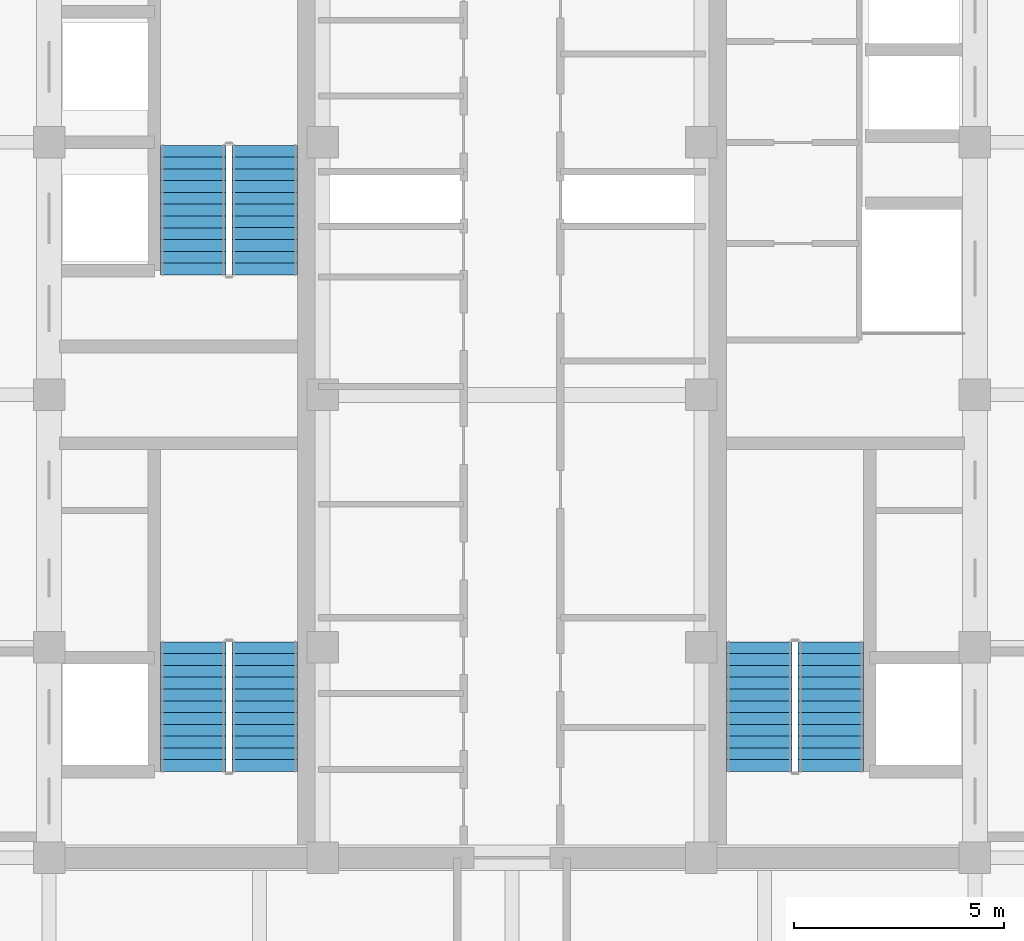
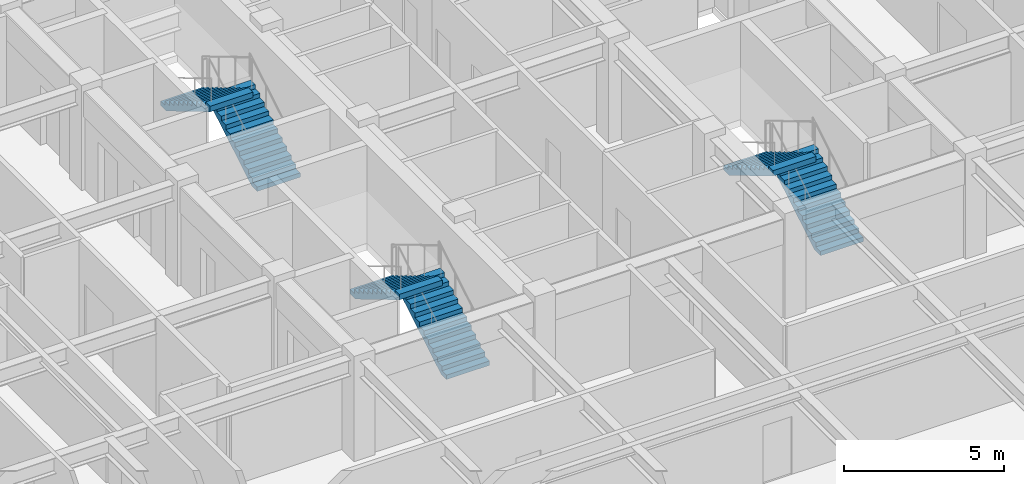
# One storey, part 28 of 29: 6 stair flights, 3 elements without a shape of their own.
"""IFC4 building model written with IfcOpenShell, lengths in metres."""

from ifc_helpers import new_model, si_unit, direction, frame, origin, place, context, subcontext, project, spatial, polyline, outline, extrude, source, transform, mapped, material, type_object, element, aggregate, save


model = new_model("IFC4")

# Units and contexts
model_context = context("Model", 3, precision=1e-05, world=origin(), true_north=direction((0.0, 1.0)))
body_context = subcontext(model_context, "Body", "Model", "MODEL_VIEW")
ifc_project = project(units=[si_unit("LENGTHUNIT", "METRE"), si_unit("AREAUNIT", "SQUARE_METRE"), si_unit("VOLUMEUNIT", "CUBIC_METRE"), si_unit("PLANEANGLEUNIT", "RADIAN"), si_unit("MASSUNIT", "GRAM", prefix="KILO")], contexts=[model_context])

# Site, building, storey
site_placement = place(None, origin())
site = spatial("IfcSite", under=ifc_project, at=site_placement, CompositionType="ELEMENT")
building_placement = place(site_placement, origin())
building = spatial("IfcBuilding", under=site, at=building_placement, Name="Khorayat Bourse Tower", CompositionType="ELEMENT")
storey_placement = place(building_placement, frame((0.0, 0.0, 366.300048828125)))
storey = spatial("IfcBuildingStorey", under=building, at=storey_placement, Name="L87", CompositionType="ELEMENT", Elevation=366.300048828125)

# Stair, stair flights
ifc_material = material(Name="Concrete C40/50", Category="concrete")
stair_type = type_object("IfcStairType", Name="STR-CORE-1550", PredefinedType="HALF_TURN_STAIR", material=ifc_material)
stair_1_placement = place(storey_placement, origin())
stair_1 = element("IfcStair", 1, at=stair_1_placement, inside=storey, type_object=stair_type, Name="L87 Exit Stair ST-1", PredefinedType="HALF_TURN_STAIR")
stair_flight_type = type_object("IfcStairFlightType", Name="FLT-CORE-1550", PredefinedType="STRAIGHT", material=ifc_material)
shared_shape = source(origin(), body_context, "Body", "SweptSolid", [
    extrude(outline(polyline([(0.0, 0.0), (0.0, 0.166748046875), (0.280029296875, 0.166748046875), (0.280029296875, 0.333251953125), (0.56005859375, 0.333251953125), (0.56005859375, 0.5), (0.840087890625, 0.5), (0.840087890625, 0.666748046875), (1.1201171875, 0.666748046875), (1.1201171875, 0.833251953125), (1.39990234375, 0.833251953125), (1.39990234375, 1.0), (1.679931640625, 1.0), (1.679931640625, 1.166748046875), (1.9599609375, 1.166748046875), (1.9599609375, 1.333251953125), (2.239990234375, 1.333251953125), (2.239990234375, 1.5), (2.52001953125, 1.5), (2.52001953125, 1.666748046875), (2.800048828125, 1.666748046875), (2.800048828125, 1.833251953125), (3.080078125, 1.833251953125), (3.080078125, 2.0), (3.080078125, 1.6240234375), (0.351806640625, 0.0), (0.0, 0.0)])), frame((0.0, 0.77490234375, 0.0), z_axis=(0.0, -1.0, 0.0), x_axis=(1.0, 0.0, 0.0)), (0.0, 0.0, 1.0), 1.550048828125),
])
stair_flight_1_placement = place(storey_placement, frame((-5.875, -8.949951171875, 0.0), z_axis=(0.0, 0.0, 1.0), x_axis=(0.0, 1.0, 0.0)))
stair_flight_1 = element("IfcStairFlight", 2, at=stair_flight_1_placement, type_object=stair_flight_type, Name="ST-1 flight 1", NumberOfRisers=12, NumberOfTreads=11, PredefinedType="STRAIGHT", RiserHeight=0.166666667, TreadLength=0.28, context=body_context, shape_type="MappedRepresentation", body=[
    mapped(shared_shape, transform((0.0, 0.0, 0.0), scale=1.0)),
])
stair_flight_2_placement = place(storey_placement, frame((-7.574951171875, -5.8701171875, 2.0), z_axis=(0.0, 0.0, 1.0), x_axis=(0.0, -1.0, 0.0)))
stair_flight_2 = element("IfcStairFlight", 3, at=stair_flight_2_placement, type_object=stair_flight_type, Name="ST-1 flight 2", NumberOfRisers=12, NumberOfTreads=11, PredefinedType="STRAIGHT", RiserHeight=0.166666667, TreadLength=0.28, context=body_context, shape_type="MappedRepresentation", body=[
    mapped(shared_shape, transform((0.0, 0.0, 0.0), scale=1.0)),
])
aggregate(stair_1, [stair_flight_1, stair_flight_2])

stair_2_placement = place(storey_placement, origin())
stair_2 = element("IfcStair", 4, at=stair_2_placement, inside=storey, type_object=stair_type, Name="L87 Exit Stair ST-2", PredefinedType="HALF_TURN_STAIR")
stair_flight_3_placement = place(storey_placement, frame((-5.875, 2.85009765625, 0.0), z_axis=(0.0, 0.0, 1.0), x_axis=(0.0, 1.0, 0.0)))
stair_flight_3 = element("IfcStairFlight", 5, at=stair_flight_3_placement, type_object=stair_flight_type, Name="ST-2 flight 1", NumberOfRisers=12, NumberOfTreads=11, PredefinedType="STRAIGHT", RiserHeight=0.166666667, TreadLength=0.28, context=body_context, shape_type="MappedRepresentation", body=[
    mapped(shared_shape, transform((0.0, 0.0, 0.0), scale=1.0)),
])
stair_flight_4_placement = place(storey_placement, frame((-7.574951171875, 5.929931640625, 2.0), z_axis=(0.0, 0.0, 1.0), x_axis=(0.0, -1.0, 0.0)))
stair_flight_4 = element("IfcStairFlight", 6, at=stair_flight_4_placement, type_object=stair_flight_type, Name="ST-2 flight 2", NumberOfRisers=12, NumberOfTreads=11, PredefinedType="STRAIGHT", RiserHeight=0.166666667, TreadLength=0.28, context=body_context, shape_type="MappedRepresentation", body=[
    mapped(shared_shape, transform((0.0, 0.0, 0.0), scale=1.0)),
])
aggregate(stair_2, [stair_flight_3, stair_flight_4])

stair_3_placement = place(storey_placement, origin())
stair_3 = element("IfcStair", 7, at=stair_3_placement, inside=storey, type_object=stair_type, Name="L87 Exit Stair ST-3", PredefinedType="HALF_TURN_STAIR")
stair_flight_5_placement = place(storey_placement, frame((7.574951171875, -8.949951171875, 0.0), z_axis=(0.0, 0.0, 1.0), x_axis=(0.0, 1.0, 0.0)))
stair_flight_5 = element("IfcStairFlight", 8, at=stair_flight_5_placement, type_object=stair_flight_type, Name="ST-3 flight 1", NumberOfRisers=12, NumberOfTreads=11, PredefinedType="STRAIGHT", RiserHeight=0.166666667, TreadLength=0.28, context=body_context, shape_type="MappedRepresentation", body=[
    mapped(shared_shape, transform((0.0, 0.0, 0.0), scale=1.0)),
])
stair_flight_6_placement = place(storey_placement, frame((5.875, -5.8701171875, 2.0), z_axis=(0.0, 0.0, 1.0), x_axis=(0.0, -1.0, 0.0)))
stair_flight_6 = element("IfcStairFlight", 9, at=stair_flight_6_placement, type_object=stair_flight_type, Name="ST-3 flight 2", NumberOfRisers=12, NumberOfTreads=11, PredefinedType="STRAIGHT", RiserHeight=0.166666667, TreadLength=0.28, context=body_context, shape_type="MappedRepresentation", body=[
    mapped(shared_shape, transform((0.0, 0.0, 0.0), scale=1.0)),
])
aggregate(stair_3, [stair_flight_5, stair_flight_6])

save(model, "model.ifc")
